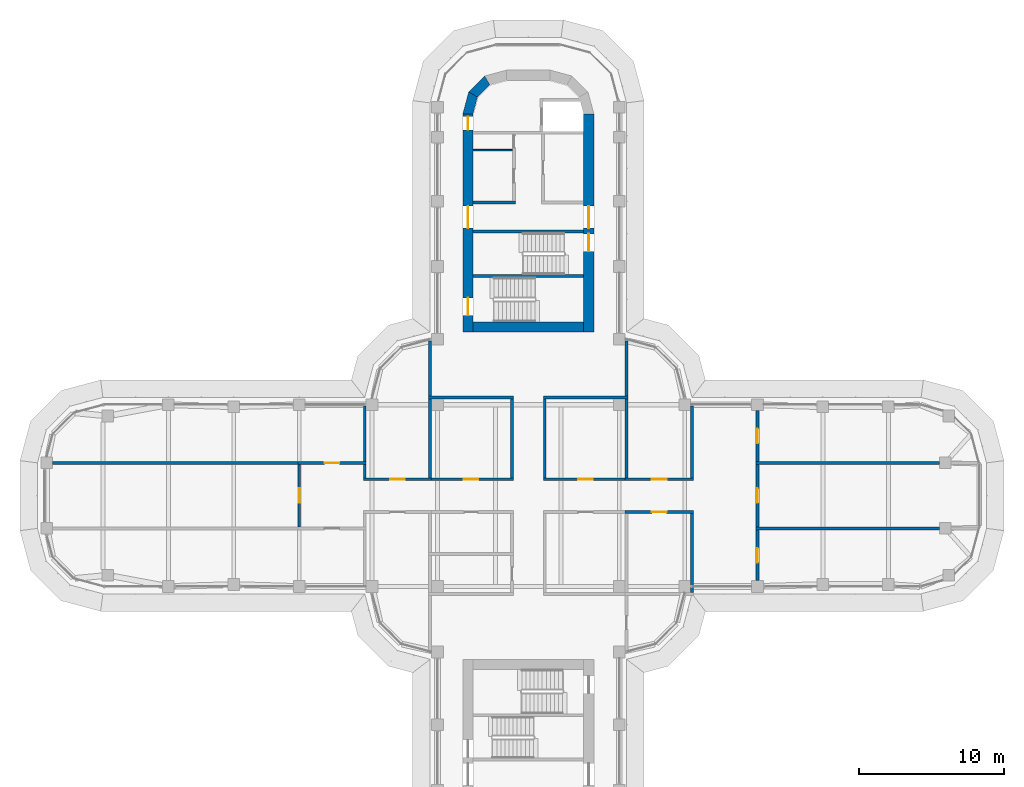
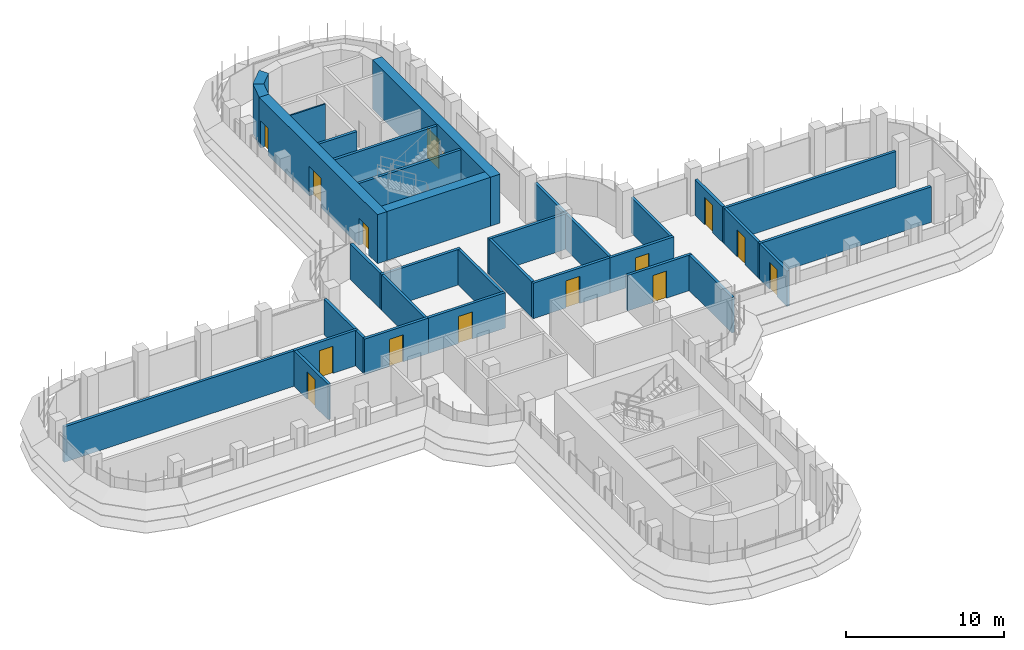
# One storey, part 14 of 19: 34 walls, 15 doors, 15 openings.
"""IFC4 building model written with IfcOpenShell, lengths in metres."""

from ifc_helpers import new_model, si_unit, direction, frame, frame_2d, origin, place, context, subcontext, project, spatial, polyline, rectangle, outline, extrude, material, layer, layer_set, type_object, element, fill, save


model = new_model("IFC4")

# Units and contexts
model_context = context("Model", 3, precision=1e-05, world=origin(), true_north=direction((0.0, 1.0)))
body_context = subcontext(model_context, "Body", "Model", "MODEL_VIEW")
ifc_project = project(units=[si_unit("LENGTHUNIT", "METRE"), si_unit("AREAUNIT", "SQUARE_METRE"), si_unit("VOLUMEUNIT", "CUBIC_METRE"), si_unit("PLANEANGLEUNIT", "RADIAN"), si_unit("MASSUNIT", "GRAM", prefix="KILO")], contexts=[model_context])

# Site, building, storey
site_placement = place(None, origin())
site = spatial("IfcSite", under=ifc_project, at=site_placement, CompositionType="ELEMENT")
building_placement = place(site_placement, origin())
building = spatial("IfcBuilding", under=site, at=building_placement, Name="Zarbagh Exchange Tower", CompositionType="ELEMENT")
storey_placement = place(building_placement, frame((0.0, 0.0, 171.39990234375)))
storey = spatial("IfcBuildingStorey", under=building, at=storey_placement, Name="L41", CompositionType="ELEMENT", Elevation=171.39990234375)

# Wall
ifc_material_1 = material(Name="Dense blockwork", Category="masonry")
ifc_layer_1 = layer(ifc_material_1, 0.10009765625)
ifc_layer_set_1 = layer_set([ifc_layer_1], Name="Core partition 100 mm blockwork")
wall_type_1 = type_object("IfcWallType", Name="Core partition 100 mm blockwork", PredefinedType="PARTITIONING", material=ifc_layer_set_1)
wall_1_placement = place(storey_placement, frame((-3.800048828125, 23.75, 0.0), z_axis=(0.0, 0.0, 1.0), x_axis=(1.0, 0.0, 0.0)))
element("IfcWall", 1, at=wall_1_placement, inside=storey, type_object=wall_type_1, Name="North core partition wall CUT-W-460", PredefinedType="PARTITIONING", context=body_context, shape_type="SweptSolid", body=[
    extrude(rectangle(XDim=2.699951171875, YDim=0.10009765625, at=frame_2d((1.35009765625, 0.0))), origin(), (0.0, 0.0, 1.0), 3.650146484375),
])

# Wall, opening, door
ifc_material_2 = material(Name="Fire-rated plasterboard partition")
ifc_layer_2 = layer(ifc_material_2, 0.199951171875)
ifc_layer_set_2 = layer_set([ifc_layer_2], Name="RATED PARTITION 200")
wall_type_2 = type_object("IfcWallType", Name="RATED PARTITION 200", PredefinedType="PARTITIONING", material=ifc_layer_set_2)
wall_2_placement = place(storey_placement, frame((1.02490234375, 1.125, 0.0), z_axis=(0.0, 0.0, 1.0), x_axis=(1.0, 0.0, 0.0)))
wall_2 = element("IfcWall", 2, at=wall_2_placement, inside=storey, type_object=wall_type_2, Name="Partition W-1801", PredefinedType="PARTITIONING", context=body_context, shape_type="SweptSolid", body=[
    extrude(rectangle(XDim=5.8251953125, YDim=0.199951171875, at=frame_2d((2.91259765625, 0.0))), origin(), (0.0, 0.0, 1.0), 2.75),
])
opening_1_placement = place(wall_2_placement, frame((2.41259765625, 0.0, 0.0)))
opening_1 = element("IfcOpeningElement", 3, at=opening_1_placement, cuts=wall_2, Name="Opening D-1804", PredefinedType="OPENING", context=body_context, shape_type="SweptSolid", body=[
    extrude(rectangle(XDim=1.0, YDim=2.10009765625, at=frame_2d((0.5, 1.050048828125))), frame((0.0, 0.10986328125, 0.0), z_axis=(0.0, -1.0, 0.0), x_axis=(1.0, 0.0, 0.0)), (0.0, 0.0, 1.0), 0.219970703125),
])
ifc_material_3 = material(Name="Steel door set", Category="steel")
door_type_1 = type_object("IfcDoorType", Name="FIRE DOOR 1000 X 2100 FD30S", OperationType="NOTDEFINED", PredefinedType="DOOR", material=ifc_material_3)
door_1_placement = place(opening_1_placement, origin())
door_1 = element("IfcDoor", 4, at=door_1_placement, inside=storey, type_object=door_type_1, Name="Door D-1804", OperationType="SINGLE_SWING_RIGHT", OverallHeight=2.10009765625, OverallWidth=1.0, PredefinedType="DOOR", context=body_context, shape_type="SweptSolid", body=[
    extrude(rectangle(XDim=1.0, YDim=2.10009765625, at=frame_2d((0.5, 1.050048828125))), frame((0.0, 0.02490234375, 0.0), z_axis=(0.0, -1.0, 0.0), x_axis=(1.0, 0.0, 0.0)), (0.0, 0.0, 1.0), 0.050048828125),
])
fill(opening_1, door_1)

wall_3_placement = place(storey_placement, frame((6.64990234375, 1.125, 0.0), z_axis=(0.0, 0.0, 1.0), x_axis=(1.0, 0.0, 0.0)))
wall_3 = element("IfcWall", 5, at=wall_3_placement, inside=storey, type_object=wall_type_2, Name="Partition W-1802", PredefinedType="PARTITIONING", context=body_context, shape_type="SweptSolid", body=[
    extrude(rectangle(XDim=4.7001953125, YDim=0.199951171875, at=frame_2d((2.35009765625, 0.0))), origin(), (0.0, 0.0, 1.0), 2.75),
])
opening_2_placement = place(wall_3_placement, frame((1.85009765625, 0.0, 0.0)))
opening_2 = element("IfcOpeningElement", 6, at=opening_2_placement, cuts=wall_3, Name="Opening D-1805", PredefinedType="OPENING", context=body_context, shape_type="SweptSolid", body=[
    extrude(rectangle(XDim=1.0, YDim=2.10009765625, at=frame_2d((0.5, 1.050048828125))), frame((0.0, 0.10986328125, 0.0), z_axis=(0.0, -1.0, 0.0), x_axis=(1.0, 0.0, 0.0)), (0.0, 0.0, 1.0), 0.219970703125),
])
door_2_placement = place(opening_2_placement, origin())
door_2 = element("IfcDoor", 7, at=door_2_placement, inside=storey, type_object=door_type_1, Name="Door D-1805", OperationType="SINGLE_SWING_RIGHT", OverallHeight=2.10009765625, OverallWidth=1.0, PredefinedType="DOOR", context=body_context, shape_type="SweptSolid", body=[
    extrude(rectangle(XDim=1.0, YDim=2.10009765625, at=frame_2d((0.5, 1.050048828125))), frame((0.0, 0.02490234375, 0.0), z_axis=(0.0, -1.0, 0.0), x_axis=(1.0, 0.0, 0.0)), (0.0, 0.0, 1.0), 0.050048828125),
])
fill(opening_2, door_2)

wall_4_placement = place(storey_placement, frame((-6.85009765625, 1.125, 0.0), z_axis=(0.0, 0.0, 1.0), x_axis=(1.0, 0.0, 0.0)))
wall_4 = element("IfcWall", 8, at=wall_4_placement, inside=storey, type_object=wall_type_2, Name="Partition W-1803", PredefinedType="PARTITIONING", context=body_context, shape_type="SweptSolid", body=[
    extrude(rectangle(XDim=5.8251953125, YDim=0.199951171875, at=frame_2d((2.91259765625, 0.0))), origin(), (0.0, 0.0, 1.0), 2.75),
])
opening_3_placement = place(wall_4_placement, frame((2.41259765625, 0.0, 0.0)))
opening_3 = element("IfcOpeningElement", 9, at=opening_3_placement, cuts=wall_4, Name="Opening D-1806", PredefinedType="OPENING", context=body_context, shape_type="SweptSolid", body=[
    extrude(rectangle(XDim=1.0, YDim=2.10009765625, at=frame_2d((0.5, 1.050048828125))), frame((0.0, 0.10986328125, 0.0), z_axis=(0.0, -1.0, 0.0), x_axis=(1.0, 0.0, 0.0)), (0.0, 0.0, 1.0), 0.219970703125),
])
door_3_placement = place(opening_3_placement, origin())
door_3 = element("IfcDoor", 10, at=door_3_placement, inside=storey, type_object=door_type_1, Name="Door D-1806", OperationType="SINGLE_SWING_RIGHT", OverallHeight=2.10009765625, OverallWidth=1.0, PredefinedType="DOOR", context=body_context, shape_type="SweptSolid", body=[
    extrude(rectangle(XDim=1.0, YDim=2.10009765625, at=frame_2d((0.5, 1.050048828125))), frame((0.0, 0.02490234375, 0.0), z_axis=(0.0, -1.0, 0.0), x_axis=(1.0, 0.0, 0.0)), (0.0, 0.0, 1.0), 0.050048828125),
])
fill(opening_3, door_3)

wall_5_placement = place(storey_placement, frame((-11.35009765625, 1.125, 0.0), z_axis=(0.0, 0.0, 1.0), x_axis=(1.0, 0.0, 0.0)))
wall_5 = element("IfcWall", 11, at=wall_5_placement, inside=storey, type_object=wall_type_2, Name="Partition W-1804", PredefinedType="PARTITIONING", context=body_context, shape_type="SweptSolid", body=[
    extrude(rectangle(XDim=4.7001953125, YDim=0.199951171875, at=frame_2d((2.35009765625, 0.0))), origin(), (0.0, 0.0, 1.0), 2.75),
])
opening_4_placement = place(wall_5_placement, frame((1.85009765625, 0.0, 0.0)))
opening_4 = element("IfcOpeningElement", 12, at=opening_4_placement, cuts=wall_5, Name="Opening D-1807", PredefinedType="OPENING", context=body_context, shape_type="SweptSolid", body=[
    extrude(rectangle(XDim=1.0, YDim=2.10009765625, at=frame_2d((0.5, 1.050048828125))), frame((0.0, 0.10986328125, 0.0), z_axis=(0.0, -1.0, 0.0), x_axis=(1.0, 0.0, 0.0)), (0.0, 0.0, 1.0), 0.219970703125),
])
door_4_placement = place(opening_4_placement, origin())
door_4 = element("IfcDoor", 13, at=door_4_placement, inside=storey, type_object=door_type_1, Name="Door D-1807", OperationType="SINGLE_SWING_RIGHT", OverallHeight=2.10009765625, OverallWidth=1.0, PredefinedType="DOOR", context=body_context, shape_type="SweptSolid", body=[
    extrude(rectangle(XDim=1.0, YDim=2.10009765625, at=frame_2d((0.5, 1.050048828125))), frame((0.0, 0.02490234375, 0.0), z_axis=(0.0, -1.0, 0.0), x_axis=(1.0, 0.0, 0.0)), (0.0, 0.0, 1.0), 0.050048828125),
])
fill(opening_4, door_4)

wall_6_placement = place(storey_placement, frame((11.35009765625, -1.125, 0.0), z_axis=(0.0, 0.0, 1.0), x_axis=(-1.0, 0.0, 0.0)))
wall_6 = element("IfcWall", 14, at=wall_6_placement, inside=storey, type_object=wall_type_2, Name="Partition W-1806", PredefinedType="PARTITIONING", context=body_context, shape_type="SweptSolid", body=[
    extrude(rectangle(XDim=4.7001953125, YDim=0.199951171875, at=frame_2d((2.35009765625, 0.0))), origin(), (0.0, 0.0, 1.0), 2.75),
])
opening_5_placement = place(wall_6_placement, frame((1.85009765625, 0.0, 0.0)))
opening_5 = element("IfcOpeningElement", 15, at=opening_5_placement, cuts=wall_6, Name="Opening D-1809", PredefinedType="OPENING", context=body_context, shape_type="SweptSolid", body=[
    extrude(rectangle(XDim=1.0, YDim=2.10009765625, at=frame_2d((0.5, 1.050048828125))), frame((0.0, 0.10986328125, 0.0), z_axis=(0.0, -1.0, 0.0), x_axis=(1.0, 0.0, 0.0)), (0.0, 0.0, 1.0), 0.219970703125),
])
door_5_placement = place(opening_5_placement, origin())
door_5 = element("IfcDoor", 16, at=door_5_placement, inside=storey, type_object=door_type_1, Name="Door D-1809", OperationType="SINGLE_SWING_RIGHT", OverallHeight=2.10009765625, OverallWidth=1.0, PredefinedType="DOOR", context=body_context, shape_type="SweptSolid", body=[
    extrude(rectangle(XDim=1.0, YDim=2.10009765625, at=frame_2d((0.5, 1.050048828125))), frame((0.0, 0.02490234375, 0.0), z_axis=(0.0, -1.0, 0.0), x_axis=(1.0, 0.0, 0.0)), (0.0, 0.0, 1.0), 0.050048828125),
])
fill(opening_5, door_5)

# Walls
for number, where, z_axis, x_axis, name in (
    (17, (1.125, 1.22509765625, 0.0), (0.0, 0.0, 1.0), (0.0, 1.0, 0.0), "Partition W-1809"),
    (18, (-1.125, 1.22509765625, 0.0), (0.0, 0.0, 1.0), (0.0, 1.0, 0.0), "Partition W-1810"),
):
    element("IfcWall", number, at=place(storey_placement, frame(where, z_axis=z_axis, x_axis=x_axis)), inside=storey, type_object=wall_type_2, Name=name, PredefinedType="PARTITIONING", context=body_context, shape_type="SweptSolid", body=[
        extrude(rectangle(XDim=5.4248046875, YDim=0.199951171875, at=frame_2d((2.71240234375, 0.0))), origin(), (0.0, 0.0, 1.0), 2.75),
    ])
wall_7_placement = place(storey_placement, frame((1.02490234375, 6.75, 0.0), z_axis=(0.0, 0.0, 1.0), x_axis=(1.0, 0.0, 0.0)))
element("IfcWall", 19, at=wall_7_placement, inside=storey, type_object=wall_type_2, Name="Partition W-1814", PredefinedType="PARTITIONING", context=body_context, shape_type="SweptSolid", body=[
    extrude(rectangle(XDim=5.8251953125, YDim=0.199951171875, at=frame_2d((2.91259765625, 0.0))), origin(), (0.0, 0.0, 1.0), 2.75),
])
wall_8_placement = place(storey_placement, frame((6.75, 6.85009765625, 0.0), z_axis=(0.0, 0.0, 1.0), x_axis=(0.0, 1.0, 0.0)))
element("IfcWall", 20, at=wall_8_placement, inside=storey, type_object=wall_type_2, Name="Partition W-1815", PredefinedType="PARTITIONING", context=body_context, shape_type="SweptSolid", body=[
    extrude(rectangle(XDim=3.77978515625, YDim=0.199951171875, at=frame_2d((1.889892578125, 0.0))), origin(), (0.0, 0.0, 1.0), 2.75),
])
wall_9_placement = place(storey_placement, frame((-6.85009765625, 6.75, 0.0), z_axis=(0.0, 0.0, 1.0), x_axis=(1.0, 0.0, 0.0)))
element("IfcWall", 21, at=wall_9_placement, inside=storey, type_object=wall_type_2, Name="Partition W-1816", PredefinedType="PARTITIONING", context=body_context, shape_type="SweptSolid", body=[
    extrude(rectangle(XDim=5.8251953125, YDim=0.199951171875, at=frame_2d((2.91259765625, 0.0))), origin(), (0.0, 0.0, 1.0), 2.75),
])
wall_10_placement = place(storey_placement, frame((-6.75, 6.85009765625, 0.0), z_axis=(0.0, 0.0, 1.0), x_axis=(0.0, 1.0, 0.0)))
element("IfcWall", 22, at=wall_10_placement, inside=storey, type_object=wall_type_2, Name="Partition W-1817", PredefinedType="PARTITIONING", context=body_context, shape_type="SweptSolid", body=[
    extrude(rectangle(XDim=3.77978515625, YDim=0.199951171875, at=frame_2d((1.889892578125, 0.0))), origin(), (0.0, 0.0, 1.0), 2.75),
])
wall_11_placement = place(storey_placement, frame((6.75, 1.22509765625, 0.0), z_axis=(0.0, 0.0, 1.0), x_axis=(0.0, 1.0, 0.0)))
element("IfcWall", 23, at=wall_11_placement, inside=storey, type_object=wall_type_2, Name="Partition W-1822", PredefinedType="PARTITIONING", context=body_context, shape_type="SweptSolid", body=[
    extrude(rectangle(XDim=5.4248046875, YDim=0.199951171875, at=frame_2d((2.71240234375, 0.0))), origin(), (0.0, 0.0, 1.0), 2.75),
])
wall_12_placement = place(storey_placement, frame((11.25, 1.22509765625, 0.0), z_axis=(0.0, 0.0, 1.0), x_axis=(0.0, 1.0, 0.0)))
element("IfcWall", 24, at=wall_12_placement, inside=storey, type_object=wall_type_2, Name="Partition W-1823", PredefinedType="PARTITIONING", context=body_context, shape_type="SweptSolid", body=[
    extrude(rectangle(XDim=4.94482421875, YDim=0.199951171875, at=frame_2d((2.472412109375, 0.0))), origin(), (0.0, 0.0, 1.0), 2.75),
])
wall_13_placement = place(storey_placement, frame((-6.75, 1.22509765625, 0.0), z_axis=(0.0, 0.0, 1.0), x_axis=(0.0, 1.0, 0.0)))
element("IfcWall", 25, at=wall_13_placement, inside=storey, type_object=wall_type_2, Name="Partition W-1824", PredefinedType="PARTITIONING", context=body_context, shape_type="SweptSolid", body=[
    extrude(rectangle(XDim=5.4248046875, YDim=0.199951171875, at=frame_2d((2.71240234375, 0.0))), origin(), (0.0, 0.0, 1.0), 2.75),
])
wall_14_placement = place(storey_placement, frame((-11.25, 1.22509765625, 0.0), z_axis=(0.0, 0.0, 1.0), x_axis=(0.0, 1.0, 0.0)))
element("IfcWall", 26, at=wall_14_placement, inside=storey, type_object=wall_type_2, Name="Partition W-1825", PredefinedType="PARTITIONING", context=body_context, shape_type="SweptSolid", body=[
    extrude(rectangle(XDim=0.9248046875, YDim=0.199951171875, at=frame_2d((0.46240234375, 0.0))), origin(), (0.0, 0.0, 1.0), 2.75),
])
wall_15_placement = place(storey_placement, frame((-11.25, 2.35009765625, 0.0), z_axis=(0.0, 0.0, 1.0), x_axis=(0.0, 1.0, 0.0)))
element("IfcWall", 27, at=wall_15_placement, inside=storey, type_object=wall_type_2, Name="Partition W-1826", PredefinedType="PARTITIONING", context=body_context, shape_type="SweptSolid", body=[
    extrude(rectangle(XDim=3.81982421875, YDim=0.199951171875, at=frame_2d((1.909912109375, 0.0))), origin(), (0.0, 0.0, 1.0), 2.75),
])
wall_16_placement = place(storey_placement, frame((11.25, -6.64990234375, 0.0), z_axis=(0.0, 0.0, 1.0), x_axis=(0.0, 1.0, 0.0)))
element("IfcWall", 28, at=wall_16_placement, inside=storey, type_object=wall_type_2, Name="Partition W-1829", PredefinedType="PARTITIONING", context=body_context, shape_type="SweptSolid", body=[
    extrude(rectangle(XDim=5.4248046875, YDim=0.199951171875, at=frame_2d((2.71240234375, 0.0))), origin(), (0.0, 0.0, 1.0), 2.75),
])

# Wall, opening, door
wall_17_placement = place(storey_placement, frame((15.75, -2.35009765625, 0.0), z_axis=(0.0, 0.0, 1.0), x_axis=(0.0, -1.0, 0.0)))
wall_17 = element("IfcWall", 29, at=wall_17_placement, inside=storey, type_object=wall_type_2, Name="Partition W-1835", PredefinedType="PARTITIONING", context=body_context, shape_type="SweptSolid", body=[
    extrude(rectangle(XDim=3.5, YDim=0.199951171875, at=frame_2d((1.75, 0.0))), origin(), (0.0, 0.0, 1.0), 2.75),
])
opening_6_placement = place(wall_17_placement, frame((1.25, 0.0, 0.0)))
opening_6 = element("IfcOpeningElement", 30, at=opening_6_placement, cuts=wall_17, Name="Opening D-1801", PredefinedType="OPENING", context=body_context, shape_type="SweptSolid", body=[
    extrude(rectangle(XDim=1.0, YDim=2.10009765625, at=frame_2d((0.5, 1.050048828125))), frame((0.0, 0.10986328125, 0.0), z_axis=(0.0, -1.0, 0.0), x_axis=(1.0, 0.0, 0.0)), (0.0, 0.0, 1.0), 0.219970703125),
])
door_6_placement = place(opening_6_placement, origin())
door_6 = element("IfcDoor", 31, at=door_6_placement, inside=storey, type_object=door_type_1, Name="Door D-1801", OperationType="SINGLE_SWING_LEFT", OverallHeight=2.10009765625, OverallWidth=1.0, PredefinedType="DOOR", context=body_context, shape_type="SweptSolid", body=[
    extrude(rectangle(XDim=1.0, YDim=2.10009765625, at=frame_2d((0.5, 1.050048828125))), frame((0.0, 0.02490234375, 0.0), z_axis=(0.0, -1.0, 0.0), x_axis=(1.0, 0.0, 0.0)), (0.0, 0.0, 1.0), 0.050048828125),
])
fill(opening_6, door_6)

wall_18_placement = place(storey_placement, frame((15.75, 2.14990234375, 0.0), z_axis=(0.0, 0.0, 1.0), x_axis=(0.0, -1.0, 0.0)))
wall_18 = element("IfcWall", 32, at=wall_18_placement, inside=storey, type_object=wall_type_2, Name="Partition W-1836", PredefinedType="PARTITIONING", context=body_context, shape_type="SweptSolid", body=[
    extrude(rectangle(XDim=4.2998046875, YDim=0.199951171875, at=frame_2d((2.14990234375, 0.0))), origin(), (0.0, 0.0, 1.0), 2.75),
])
opening_7_placement = place(wall_18_placement, frame((1.64990234375, 0.0, 0.0)))
opening_7 = element("IfcOpeningElement", 33, at=opening_7_placement, cuts=wall_18, Name="Opening D-1802", PredefinedType="OPENING", context=body_context, shape_type="SweptSolid", body=[
    extrude(rectangle(XDim=1.0, YDim=2.10009765625, at=frame_2d((0.5, 1.050048828125))), frame((0.0, 0.10986328125, 0.0), z_axis=(0.0, -1.0, 0.0), x_axis=(1.0, 0.0, 0.0)), (0.0, 0.0, 1.0), 0.219970703125),
])
door_7_placement = place(opening_7_placement, origin())
door_7 = element("IfcDoor", 34, at=door_7_placement, inside=storey, type_object=door_type_1, Name="Door D-1802", OperationType="SINGLE_SWING_RIGHT", OverallHeight=2.10009765625, OverallWidth=1.0, PredefinedType="DOOR", context=body_context, shape_type="SweptSolid", body=[
    extrude(rectangle(XDim=1.0, YDim=2.10009765625, at=frame_2d((0.5, 1.050048828125))), frame((0.0, 0.02490234375, 0.0), z_axis=(0.0, -1.0, 0.0), x_axis=(1.0, 0.0, 0.0)), (0.0, 0.0, 1.0), 0.050048828125),
])
fill(opening_7, door_7)

wall_19_placement = place(storey_placement, frame((15.75, 5.85009765625, 0.0), z_axis=(0.0, 0.0, 1.0), x_axis=(0.0, -1.0, 0.0)))
wall_19 = element("IfcWall", 35, at=wall_19_placement, inside=storey, type_object=wall_type_2, Name="Partition W-1837", PredefinedType="PARTITIONING", context=body_context, shape_type="SweptSolid", body=[
    extrude(rectangle(XDim=3.5, YDim=0.199951171875, at=frame_2d((1.75, 0.0))), origin(), (0.0, 0.0, 1.0), 2.75),
])
opening_8_placement = place(wall_19_placement, frame((1.25, 0.0, 0.0)))
opening_8 = element("IfcOpeningElement", 36, at=opening_8_placement, cuts=wall_19, Name="Opening D-1803", PredefinedType="OPENING", context=body_context, shape_type="SweptSolid", body=[
    extrude(rectangle(XDim=1.0, YDim=2.10009765625, at=frame_2d((0.5, 1.050048828125))), frame((0.0, 0.10986328125, 0.0), z_axis=(0.0, -1.0, 0.0), x_axis=(1.0, 0.0, 0.0)), (0.0, 0.0, 1.0), 0.219970703125),
])
door_8_placement = place(opening_8_placement, origin())
door_8 = element("IfcDoor", 37, at=door_8_placement, inside=storey, type_object=door_type_1, Name="Door D-1803", OperationType="SINGLE_SWING_RIGHT", OverallHeight=2.10009765625, OverallWidth=1.0, PredefinedType="DOOR", context=body_context, shape_type="SweptSolid", body=[
    extrude(rectangle(XDim=1.0, YDim=2.10009765625, at=frame_2d((0.5, 1.050048828125))), frame((0.0, 0.02490234375, 0.0), z_axis=(0.0, -1.0, 0.0), x_axis=(1.0, 0.0, 0.0)), (0.0, 0.0, 1.0), 0.050048828125),
])
fill(opening_8, door_8)

# Walls
for number, where, z_axis, x_axis, name in (
    (38, (15.64990234375, -2.25, 0.0), (0.0, 0.0, 1.0), (1.0, 0.0, 0.0), "Partition W-1838"),
    (39, (15.64990234375, 2.25, 0.0), (0.0, 0.0, 1.0), (1.0, 0.0, 0.0), "Partition W-1840"),
):
    element("IfcWall", number, at=place(storey_placement, frame(where, z_axis=z_axis, x_axis=x_axis)), inside=storey, type_object=wall_type_2, Name=name, PredefinedType="PARTITIONING", context=body_context, shape_type="SweptSolid", body=[
        extrude(rectangle(XDim=12.6201171875, YDim=0.199951171875, at=frame_2d((6.31005859375, 0.0))), origin(), (0.0, 0.0, 1.0), 2.75),
    ])

# Wall, opening, door
wall_20_placement = place(storey_placement, frame((-15.85009765625, 2.25, 0.0), z_axis=(0.0, 0.0, 1.0), x_axis=(1.0, 0.0, 0.0)))
wall_20 = element("IfcWall", 40, at=wall_20_placement, inside=storey, type_object=wall_type_2, Name="Partition W-1842", PredefinedType="PARTITIONING", context=body_context, shape_type="SweptSolid", body=[
    extrude(rectangle(XDim=4.7001953125, YDim=0.199951171875, at=frame_2d((2.35009765625, 0.0))), origin(), (0.0, 0.0, 1.0), 2.75),
])
opening_9_placement = place(wall_20_placement, frame((1.85009765625, 0.0, 0.0)))
opening_9 = element("IfcOpeningElement", 41, at=opening_9_placement, cuts=wall_20, Name="Opening D-1815", PredefinedType="OPENING", context=body_context, shape_type="SweptSolid", body=[
    extrude(rectangle(XDim=1.0, YDim=2.10009765625, at=frame_2d((0.5, 1.050048828125))), frame((0.0, 0.10986328125, 0.0), z_axis=(0.0, -1.0, 0.0), x_axis=(1.0, 0.0, 0.0)), (0.0, 0.0, 1.0), 0.219970703125),
])
door_9_placement = place(opening_9_placement, origin())
door_9 = element("IfcDoor", 42, at=door_9_placement, inside=storey, type_object=door_type_1, Name="Door D-1815", OperationType="SINGLE_SWING_RIGHT", OverallHeight=2.10009765625, OverallWidth=1.0, PredefinedType="DOOR", context=body_context, shape_type="SweptSolid", body=[
    extrude(rectangle(XDim=1.0, YDim=2.10009765625, at=frame_2d((0.5, 1.050048828125))), frame((0.0, 0.02490234375, 0.0), z_axis=(0.0, -1.0, 0.0), x_axis=(1.0, 0.0, 0.0)), (0.0, 0.0, 1.0), 0.050048828125),
])
fill(opening_9, door_9)

wall_21_placement = place(storey_placement, frame((-15.75, -2.14990234375, 0.0), z_axis=(0.0, 0.0, 1.0), x_axis=(0.0, 1.0, 0.0)))
wall_21 = element("IfcWall", 43, at=wall_21_placement, inside=storey, type_object=wall_type_2, Name="Partition W-1844", PredefinedType="PARTITIONING", context=body_context, shape_type="SweptSolid", body=[
    extrude(rectangle(XDim=4.2998046875, YDim=0.199951171875, at=frame_2d((2.14990234375, 0.0))), origin(), (0.0, 0.0, 1.0), 2.75),
])
opening_10_placement = place(wall_21_placement, frame((1.64990234375, 0.0, 0.0)))
opening_10 = element("IfcOpeningElement", 44, at=opening_10_placement, cuts=wall_21, Name="Opening D-1814", PredefinedType="OPENING", context=body_context, shape_type="SweptSolid", body=[
    extrude(rectangle(XDim=1.0, YDim=2.10009765625, at=frame_2d((0.5, 1.050048828125))), frame((0.0, 0.10986328125, 0.0), z_axis=(0.0, -1.0, 0.0), x_axis=(1.0, 0.0, 0.0)), (0.0, 0.0, 1.0), 0.219970703125),
])
door_10_placement = place(opening_10_placement, origin())
door_10 = element("IfcDoor", 45, at=door_10_placement, inside=storey, type_object=door_type_1, Name="Door D-1814", OperationType="SINGLE_SWING_RIGHT", OverallHeight=2.10009765625, OverallWidth=1.0, PredefinedType="DOOR", context=body_context, shape_type="SweptSolid", body=[
    extrude(rectangle(XDim=1.0, YDim=2.10009765625, at=frame_2d((0.5, 1.050048828125))), frame((0.0, 0.02490234375, 0.0), z_axis=(0.0, -1.0, 0.0), x_axis=(1.0, 0.0, 0.0)), (0.0, 0.0, 1.0), 0.050048828125),
])
fill(opening_10, door_10)

# Walls
wall_22_placement = place(storey_placement, frame((-32.7099609375, 2.25, 0.0), z_axis=(0.0, 0.0, 1.0), x_axis=(1.0, 0.0, 0.0)))
element("IfcWall", 46, at=wall_22_placement, inside=storey, type_object=wall_type_2, Name="Partition W-1845", PredefinedType="PARTITIONING", context=body_context, shape_type="SweptSolid", body=[
    extrude(rectangle(XDim=17.06005859375, YDim=0.199951171875, at=frame_2d((8.530029296875, 0.0))), origin(), (0.0, 0.0, 1.0), 2.75),
])
ifc_material_4 = material(Name="Concrete C50/60", Category="concrete")
ifc_layer_3 = layer(ifc_material_4, 0.699951171875)
ifc_layer_set_3 = layer_set([ifc_layer_3], Name="RC core corner wall 700 C50/60")
wall_type_3 = type_object("IfcWallType", Name="RC core corner wall 700 C50/60", PredefinedType="SHEAR", material=ifc_layer_set_3)
wall_23_placement = place(storey_placement, origin())
element("IfcWall", 47, at=wall_23_placement, inside=storey, type_object=wall_type_3, Name="CW6 core N corner W", PredefinedType="SHEAR", context=body_context, shape_type="SweptSolid", body=[
    extrude(outline(polyline([(-4.5, 26.25), (-4.09814453125, 27.75), (-3.491943359375, 27.39990234375), (-3.800048828125, 26.25), (-4.5, 26.25)])), origin(), (0.0, 0.0, 1.0), 3.800048828125),
])
wall_24_placement = place(storey_placement, origin())
element("IfcWall", 48, at=wall_24_placement, inside=storey, type_object=wall_type_3, Name="CW6 core N corner W", PredefinedType="SHEAR", context=body_context, shape_type="SweptSolid", body=[
    extrude(outline(polyline([(-4.09814453125, 27.75), (-3.0, 28.84814453125), (-2.64990234375, 28.241943359375), (-3.491943359375, 27.39990234375), (-4.09814453125, 27.75)])), origin(), (0.0, 0.0, 1.0), 3.800048828125),
])

# Wall, openings, doors
ifc_layer_4 = layer(ifc_material_4, 0.699951171875)
ifc_layer_set_4 = layer_set([ifc_layer_4], Name="RC core wall 700 C50/60")
wall_type_4 = type_object("IfcWallType", Name="RC core wall 700 C50/60", PredefinedType="SHEAR", material=ifc_layer_set_4)
wall_25_placement = place(storey_placement, frame((-4.14990234375, 11.25, 0.0), z_axis=(0.0, 0.0, 1.0), x_axis=(0.0, 1.0, 0.0)))
wall_25 = element("IfcWall", 49, at=wall_25_placement, inside=storey, type_object=wall_type_4, Name="CW5 core N W", PredefinedType="SHEAR", context=body_context, shape_type="SweptSolid", body=[
    extrude(rectangle(XDim=15.0, YDim=0.699951171875, at=frame_2d((7.5, 0.0))), origin(), (0.0, 0.0, 1.0), 3.800048828125),
])
opening_11_placement = place(wall_25_placement, frame((7.14990234375, 0.0, 0.0)))
opening_11 = element("IfcOpeningElement", 50, at=opening_11_placement, cuts=wall_25, Name="Opening CD1-1500", PredefinedType="OPENING", context=body_context, shape_type="SweptSolid", body=[
    extrude(rectangle(XDim=1.5, YDim=2.300048828125, at=frame_2d((0.75, 1.14990234375))), frame((0.0, 0.35986328125, 0.0), z_axis=(0.0, -1.0, 0.0), x_axis=(1.0, 0.0, 0.0)), (0.0, 0.0, 1.0), 0.719970703125),
])
opening_12_placement = place(wall_25_placement, frame((13.89990234375, 0.0, 0.0)))
opening_12 = element("IfcOpeningElement", 51, at=opening_12_placement, cuts=wall_25, Name="Opening CD2-900", PredefinedType="OPENING", context=body_context, shape_type="SweptSolid", body=[
    extrude(rectangle(XDim=0.89990234375, YDim=2.10009765625, at=frame_2d((0.449951171875, 1.050048828125))), frame((0.0, 0.35986328125, 0.0), z_axis=(0.0, -1.0, 0.0), x_axis=(1.0, 0.0, 0.0)), (0.0, 0.0, 1.0), 0.719970703125),
])
opening_13_placement = place(wall_25_placement, frame((1.14990234375, 0.0, 0.0)))
opening_13 = element("IfcOpeningElement", 52, at=opening_13_placement, cuts=wall_25, Name="Opening SD1-1200", PredefinedType="OPENING", context=body_context, shape_type="SweptSolid", body=[
    extrude(rectangle(XDim=1.199951171875, YDim=2.10009765625, at=frame_2d((0.60009765625, 1.050048828125))), frame((0.0, 0.35986328125, 0.0), z_axis=(0.0, -1.0, 0.0), x_axis=(1.0, 0.0, 0.0)), (0.0, 0.0, 1.0), 0.719970703125),
])
ifc_material_5 = material(Name="Steel", Category="steel")
door_type_2 = type_object("IfcDoorType", Name="Exit stair door 1200 x 2100", OperationType="NOTDEFINED", PredefinedType="DOOR", material=ifc_material_5)
door_11_placement = place(opening_13_placement, origin())
door_11 = element("IfcDoor", 53, at=door_11_placement, inside=storey, type_object=door_type_2, Name="North core stair door ST2", OperationType="SINGLE_SWING_RIGHT", OverallHeight=2.10009765625, OverallWidth=1.199951171875, PredefinedType="DOOR", context=body_context, shape_type="SweptSolid", body=[
    extrude(rectangle(XDim=1.199951171875, YDim=2.10009765625, at=frame_2d((0.60009765625, 1.050048828125))), frame((0.0, 0.02490234375, 0.0), z_axis=(0.0, -1.0, 0.0), x_axis=(1.0, 0.0, 0.0)), (0.0, 0.0, 1.0), 0.050048828125),
])
fill(opening_13, door_11)
door_type_3 = type_object("IfcDoorType", Name="Firefighting lobby door 900 x 2100", OperationType="NOTDEFINED", PredefinedType="DOOR", material=ifc_material_5)
door_12_placement = place(opening_12_placement, origin())
door_12 = element("IfcDoor", 54, at=door_12_placement, inside=storey, type_object=door_type_3, Name="North core firefighting lobby door FF-W", OperationType="SINGLE_SWING_LEFT", OverallHeight=2.10009765625, OverallWidth=0.89990234375, PredefinedType="DOOR", context=body_context, shape_type="SweptSolid", body=[
    extrude(rectangle(XDim=0.89990234375, YDim=2.10009765625, at=frame_2d((0.449951171875, 1.050048828125))), frame((0.0, 0.02490234375, 0.0), z_axis=(0.0, -1.0, 0.0), x_axis=(1.0, 0.0, 0.0)), (0.0, 0.0, 1.0), 0.050048828125),
])
fill(opening_12, door_12)
door_type_4 = type_object("IfcDoorType", Name="Lift lobby double door 1500 x 2300", OperationType="NOTDEFINED", PredefinedType="DOOR", material=ifc_material_5)
door_13_placement = place(opening_11_placement, origin())
door_13 = element("IfcDoor", 55, at=door_13_placement, inside=storey, type_object=door_type_4, Name="North core lift lobby door LOBBY-W", OperationType="DOUBLE_DOOR_SINGLE_SWING", OverallHeight=2.300048828125, OverallWidth=1.5, PredefinedType="DOOR", context=body_context, shape_type="SweptSolid", body=[
    extrude(rectangle(XDim=1.5, YDim=2.300048828125, at=frame_2d((0.75, 1.14990234375))), frame((0.0, 0.02490234375, 0.0), z_axis=(0.0, -1.0, 0.0), x_axis=(1.0, 0.0, 0.0)), (0.0, 0.0, 1.0), 0.050048828125),
])
fill(opening_11, door_13)

wall_26_placement = place(storey_placement, frame((4.14990234375, 11.25, 0.0), z_axis=(0.0, 0.0, 1.0), x_axis=(0.0, 1.0, 0.0)))
wall_26 = element("IfcWall", 56, at=wall_26_placement, inside=storey, type_object=wall_type_4, Name="CW5 core N E", PredefinedType="SHEAR", context=body_context, shape_type="SweptSolid", body=[
    extrude(rectangle(XDim=15.0, YDim=0.699951171875, at=frame_2d((7.5, 0.0))), origin(), (0.0, 0.0, 1.0), 3.800048828125),
])
opening_14_placement = place(wall_26_placement, frame((7.14990234375, 0.0, 0.0)))
opening_14 = element("IfcOpeningElement", 57, at=opening_14_placement, cuts=wall_26, Name="Opening CD1-1500", PredefinedType="OPENING", context=body_context, shape_type="SweptSolid", body=[
    extrude(rectangle(XDim=1.5, YDim=2.300048828125, at=frame_2d((0.75, 1.14990234375))), frame((0.0, 0.35986328125, 0.0), z_axis=(0.0, -1.0, 0.0), x_axis=(1.0, 0.0, 0.0)), (0.0, 0.0, 1.0), 0.719970703125),
])
opening_15_placement = place(wall_26_placement, frame((5.550048828125, 0.0, 0.0)))
opening_15 = element("IfcOpeningElement", 58, at=opening_15_placement, cuts=wall_26, Name="Opening SD1-1200", PredefinedType="OPENING", context=body_context, shape_type="SweptSolid", body=[
    extrude(rectangle(XDim=1.199951171875, YDim=2.10009765625, at=frame_2d((0.60009765625, 1.050048828125))), frame((0.0, 0.35986328125, 0.0), z_axis=(0.0, -1.0, 0.0), x_axis=(1.0, 0.0, 0.0)), (0.0, 0.0, 1.0), 0.719970703125),
])
door_14_placement = place(opening_15_placement, origin())
door_14 = element("IfcDoor", 59, at=door_14_placement, inside=storey, type_object=door_type_2, Name="North core stair door ST1", OperationType="SINGLE_SWING_RIGHT", OverallHeight=2.10009765625, OverallWidth=1.199951171875, PredefinedType="DOOR", context=body_context, shape_type="SweptSolid", body=[
    extrude(rectangle(XDim=1.199951171875, YDim=2.10009765625, at=frame_2d((0.60009765625, 1.050048828125))), frame((0.0, 0.02490234375, 0.0), z_axis=(0.0, -1.0, 0.0), x_axis=(1.0, 0.0, 0.0)), (0.0, 0.0, 1.0), 0.050048828125),
])
fill(opening_15, door_14)
door_15_placement = place(opening_14_placement, origin())
door_15 = element("IfcDoor", 60, at=door_15_placement, inside=storey, type_object=door_type_4, Name="North core lift lobby door LOBBY-E", OperationType="DOUBLE_DOOR_SINGLE_SWING", OverallHeight=2.300048828125, OverallWidth=1.5, PredefinedType="DOOR", context=body_context, shape_type="SweptSolid", body=[
    extrude(rectangle(XDim=1.5, YDim=2.300048828125, at=frame_2d((0.75, 1.14990234375))), frame((0.0, 0.02490234375, 0.0), z_axis=(0.0, -1.0, 0.0), x_axis=(1.0, 0.0, 0.0)), (0.0, 0.0, 1.0), 0.050048828125),
])
fill(opening_14, door_15)

# Walls
wall_27_placement = place(storey_placement, frame((-3.800048828125, 11.60009765625, 0.0), z_axis=(0.0, 0.0, 1.0), x_axis=(1.0, 0.0, 0.0)))
element("IfcWall", 61, at=wall_27_placement, inside=storey, type_object=wall_type_4, Name="CW5 core N inner end", PredefinedType="SHEAR", context=body_context, shape_type="SweptSolid", body=[
    extrude(rectangle(XDim=7.60009765625, YDim=0.699951171875, at=frame_2d((3.800048828125, 0.0))), origin(), (0.0, 0.0, 1.0), 3.800048828125),
])
ifc_layer_5 = layer(ifc_material_1, 0.199951171875)
ifc_layer_set_5 = layer_set([ifc_layer_5], Name="Shaft wall 200 mm blockwork")
wall_type_5 = type_object("IfcWallType", Name="Shaft wall 200 mm blockwork", PredefinedType="PARTITIONING", material=ifc_layer_set_5)
wall_28_placement = place(storey_placement, frame((-3.800048828125, 20.14990234375, 0.0), z_axis=(0.0, 0.0, 1.0), x_axis=(1.0, 0.0, 0.0)))
element("IfcWall", 62, at=wall_28_placement, inside=storey, type_object=wall_type_5, Name="North core shaft wall AB-W", PredefinedType="PARTITIONING", context=body_context, shape_type="SweptSolid", body=[
    extrude(rectangle(XDim=2.900146484375, YDim=0.199951171875, at=frame_2d((1.4501953125, 0.0))), origin(), (0.0, 0.0, 1.0), 3.650146484375),
])
ifc_material_6 = material(Name="Concrete C40/50", Category="concrete")
ifc_layer_6 = layer(ifc_material_6, 0.199951171875)
ifc_layer_set_6 = layer_set([ifc_layer_6], Name="Stair enclosure wall 200 mm RC C40/50")
wall_type_6 = type_object("IfcWallType", Name="Stair enclosure wall 200 mm RC C40/50", PredefinedType="SHEAR", material=ifc_layer_set_6)
for number, where, z_axis, x_axis, name in (
    (63, (-3.800048828125, 18.14990234375, 0.0), (0.0, 0.0, 1.0), (1.0, 0.0, 0.0), "North core stair wall BS"),
    (64, (-3.800048828125, 15.10009765625, 0.0), (0.0, 0.0, 1.0), (1.0, 0.0, 0.0), "North core stair wall ST12"),
):
    element("IfcWall", number, at=place(storey_placement, frame(where, z_axis=z_axis, x_axis=x_axis)), inside=storey, type_object=wall_type_6, Name=name, PredefinedType="SHEAR", context=body_context, shape_type="SweptSolid", body=[
        extrude(rectangle(XDim=7.60009765625, YDim=0.199951171875, at=frame_2d((3.800048828125, 0.0))), origin(), (0.0, 0.0, 1.0), 3.650146484375),
    ])

save(model, "model.ifc")
